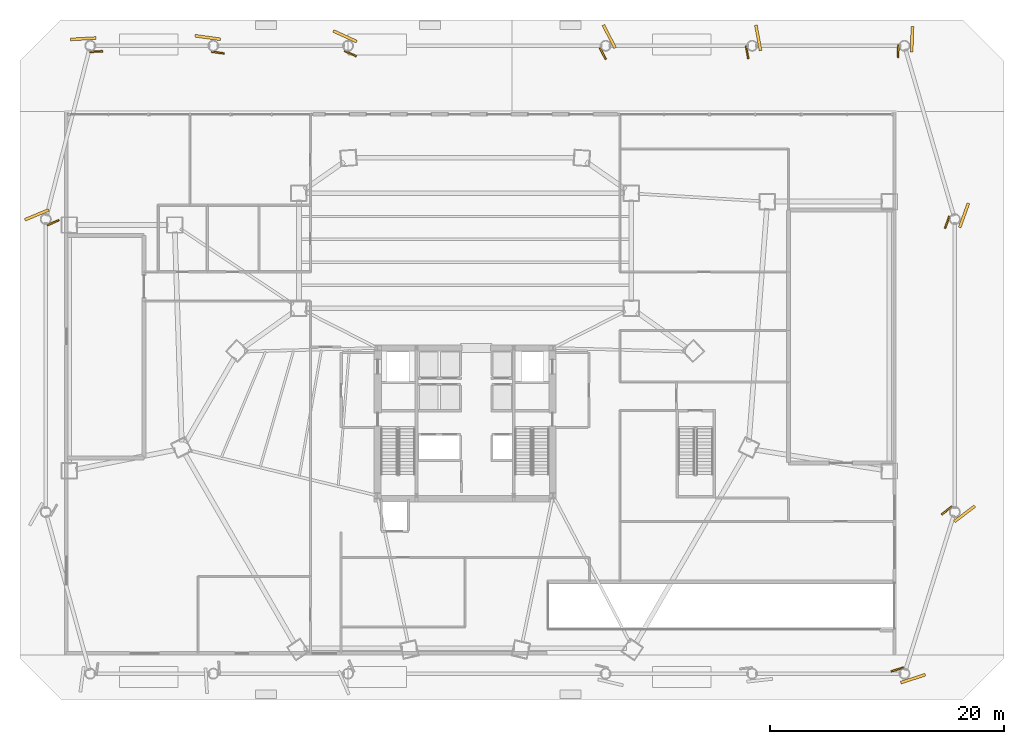
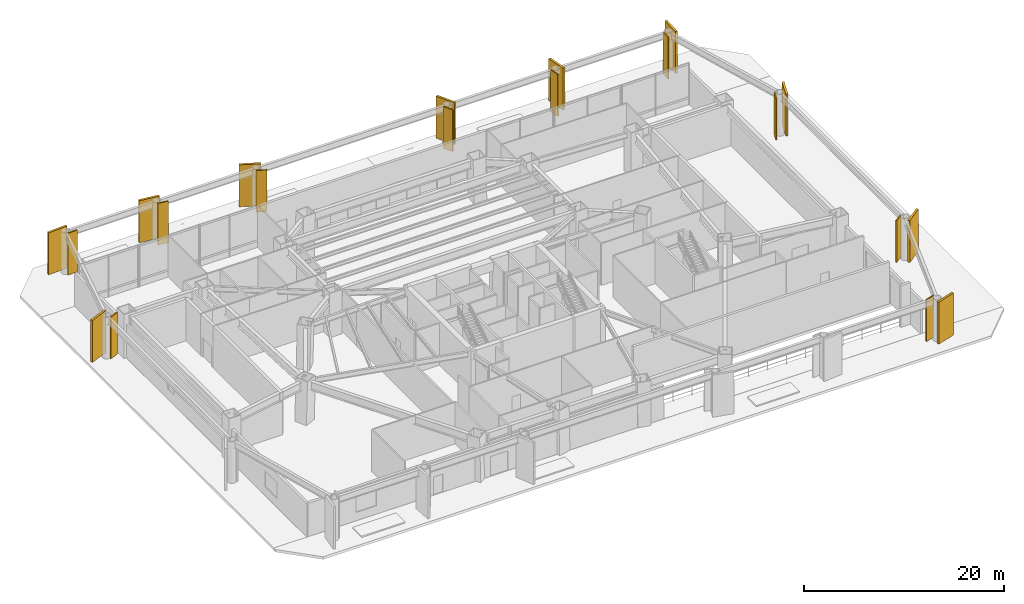
# One storey, part 18 of 19: 10 coverings, 10 shading devices.
"""IFC4 building model written with IfcOpenShell, lengths in metres."""

from ifc_helpers import new_model, si_unit, direction, frame, origin, origin_2d, place, context, subcontext, project, spatial, rectangle, extrude, source, transform, mapped, material, layer, layer_set, type_object, type_shapes, element, save


model = new_model("IFC4")

# Units and contexts
model_context = context("Model", 3, precision=1e-05, world=origin(), true_north=direction((0.0, 1.0)))
body_context = subcontext(model_context, "Body", "Model", "MODEL_VIEW")
ifc_project = project(units=[si_unit("LENGTHUNIT", "METRE"), si_unit("AREAUNIT", "SQUARE_METRE"), si_unit("VOLUMEUNIT", "CUBIC_METRE"), si_unit("PLANEANGLEUNIT", "RADIAN"), si_unit("MASSUNIT", "GRAM", prefix="KILO")], contexts=[model_context])

# Site, building, storey
site_placement = place(None, origin())
site = spatial("IfcSite", under=ifc_project, at=site_placement, CompositionType="ELEMENT")
building_placement = place(site_placement, origin())
building = spatial("IfcBuilding", under=site, at=building_placement, Name="Caelisora Broadcast Tower", CompositionType="ELEMENT")
storey_placement = place(building_placement, origin())
storey = spatial("IfcBuildingStorey", under=building, at=storey_placement, Name="L00", CompositionType="ELEMENT", Elevation=0.0)

# Shading devices
ifc_material_1 = material(Name="Extruded Terracotta Flaring Colonnade Fin", Category="ceramic")
ifc_layer_1 = layer(ifc_material_1, 0.139892578125, Name="Extruded Terracotta Flaring Colonnade Fin")
ifc_layer_set_1 = layer_set([ifc_layer_1], Name="Extruded Terracotta Flaring Colonnade Fin")
shading_device_type = type_object("IfcShadingDeviceType", Name="FN-1", PredefinedType="USERDEFINED", material=ifc_layer_set_1)
shared_shape_1 = source(origin(), body_context, "Body", "SweptSolid", [
    extrude(rectangle(XDim=1.10009765625, YDim=0.139892578125, at=origin_2d()), origin(), (0.0, 0.0, 1.0), 5.080078125),
])
type_shapes(shading_device_type, [shared_shape_1])
for number, where, z_axis, x_axis, name in (
    (1, (74.894775390625, 2.5517578125, 0.0), (0.0, 0.0, 1.0), (0.951969200546, 0.306193796821, 0.0), "L00 flaring terracotta colonnade fin #06"),
    (2, (6.49658203125, 55.306640625, 0.0), (0.0, 0.0, 1.0), (-0.998460188734, -0.055472980025, 0.0), "L00 flaring terracotta colonnade fin #07"),
    (3, (16.89208984375, 55.22021484375, 0.0), (0.0, 0.0, 1.0), (-0.99041326747, 0.138136018543, 0.0), "L00 flaring terracotta colonnade fin #08"),
    (4, (28.2099609375, 55.132080078125, 0.0), (0.0, 0.0, 1.0), (-0.909671538649, 0.415328414356, 0.0), "L00 flaring terracotta colonnade fin #09"),
    (5, (49.7529296875, 55.14501953125, 0.0), (0.0, 0.0, 1.0), (-0.459114770487, 0.888376962511, 0.0), "L00 flaring terracotta colonnade fin #10"),
    (6, (62.07275390625, 55.24560546875, 0.0), (0.0, 0.0, 1.0), (-0.180347476896, 0.983602962367, 0.0), "L00 flaring terracotta colonnade fin #11"),
    (7, (74.966064453125, 55.347412109375, 0.0), (0.0, 0.0, 1.0), (0.029666244085, 0.999559860119, 0.0), "L00 flaring terracotta colonnade fin #12"),
    (8, (2.832275390625, 40.69970703125, 0.0), (0.0, 0.0, 1.0), (-0.923210217113, -0.38429532266, 0.0), "L00 flaring terracotta colonnade fin #14"),
    (9, (79.112548828125, 16.131591796875, 0.0), (0.0, 0.0, 1.0), (0.796846376179, 0.604181969914, 0.0), "L00 flaring terracotta colonnade fin #15"),
    (10, (79.151611328125, 40.736328125, 0.0), (0.0, 0.0, 1.0), (0.339887169865, 0.940466220425, 0.0), "L00 flaring terracotta colonnade fin #16"),
):
    element("IfcShadingDevice", number, at=place(storey_placement, frame(where, z_axis=z_axis, x_axis=x_axis)), inside=storey, type_object=shading_device_type, Name=name, ObjectType="FIN", PredefinedType="USERDEFINED", context=body_context, shape_type="MappedRepresentation", body=[
        mapped(shared_shape_1, transform((0.0, 0.0, 0.0), scale=1.0)),
    ])

# Coverings
ifc_material_2 = material(Name="Kiln-Fired Terracotta Spandrel Rainscreen Cladding", Category="ceramic")
ifc_layer_2 = layer(ifc_material_2, 0.044921875, Name="Kiln-Fired Terracotta Spandrel Rainscreen Cladding")
ifc_layer_set_2 = layer_set([ifc_layer_2], Name="Kiln-Fired Terracotta Spandrel Rainscreen Cladding")
covering_type = type_object("IfcCoveringType", Name="CL-1", PredefinedType="CLADDING", material=ifc_layer_set_2)
shared_shape_2 = source(origin(), body_context, "Body", "SweptSolid", [
    extrude(rectangle(XDim=2.199951171875, YDim=0.239990234375, at=origin_2d()), origin(), (0.0, 0.0, 1.0), 5.1201171875),
])
type_shapes(covering_type, [shared_shape_2])
for number, where, z_axis, x_axis, name in (
    (11, (76.23486328125, 1.772705078125, -0.010009765625), (0.0, 0.0, 1.0), (0.951969200546, 0.306193796821, 0.0), "L00 flaring root-fin cladding #06"),
    (12, (5.397216796875, 56.399169921875, -0.010009765625), (0.0, 0.0, 1.0), (-0.998460188734, -0.055472980025, 0.0), "L00 flaring root-fin cladding #07"),
    (13, (16.02392578125, 56.504150390625, -0.010009765625), (0.0, 0.0, 1.0), (-0.99041326747, 0.138136018543, 0.0), "L00 flaring root-fin cladding #08"),
    (14, (27.7451171875, 56.61083984375, -0.010009765625), (0.0, 0.0, 1.0), (-0.909671538649, 0.415328414356, 0.0), "L00 flaring root-fin cladding #09"),
    (15, (50.300048828125, 56.59521484375, -0.010009765625), (0.0, 0.0, 1.0), (-0.459114770487, 0.888376962511, 0.0), "L00 flaring root-fin cladding #10"),
    (16, (63.018798828125, 56.473388671875, -0.010009765625), (0.0, 0.0, 1.0), (-0.180347476896, 0.983602962367, 0.0), "L00 flaring root-fin cladding #11"),
    (17, (76.148193359375, 56.349609375, -0.010009765625), (0.0, 0.0, 1.0), (0.029666244085, 0.999559860119, 0.0), "L00 flaring root-fin cladding #12"),
    (18, (1.43212890625, 41.364501953125, -0.010009765625), (0.0, 0.0, 1.0), (-0.923210217113, -0.38429532266, 0.0), "L00 flaring root-fin cladding #14"),
    (19, (80.634765625, 15.840087890625, -0.010009765625), (0.0, 0.0, 1.0), (0.796846376179, 0.604181969914, 0.0), "L00 flaring root-fin cladding #15"),
    (20, (80.58740234375, 41.3203125, -0.010009765625), (0.0, 0.0, 1.0), (0.339887169865, 0.940466220425, 0.0), "L00 flaring root-fin cladding #16"),
):
    element("IfcCovering", number, at=place(storey_placement, frame(where, z_axis=z_axis, x_axis=x_axis)), inside=storey, type_object=covering_type, Name=name, PredefinedType="CLADDING", context=body_context, shape_type="MappedRepresentation", body=[
        mapped(shared_shape_2, transform((0.0, 0.0, 0.0), scale=1.0)),
    ])

save(model, "model.ifc")
